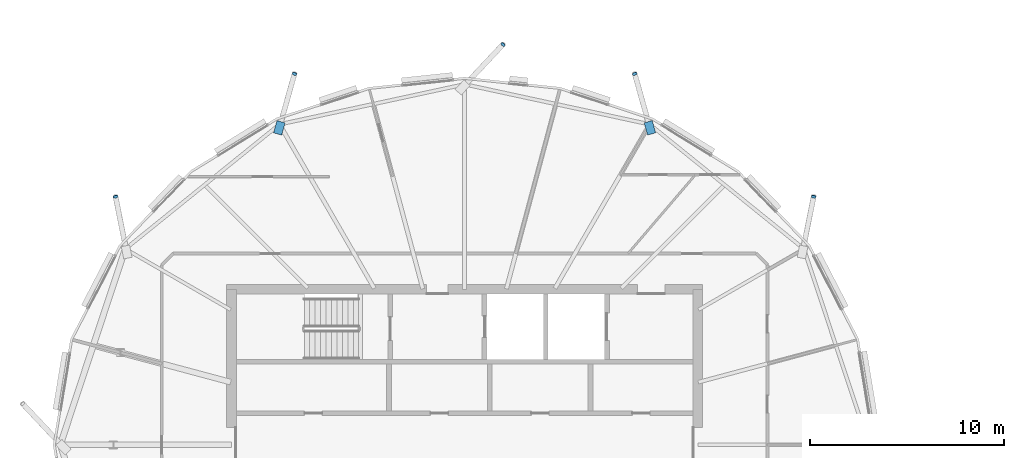
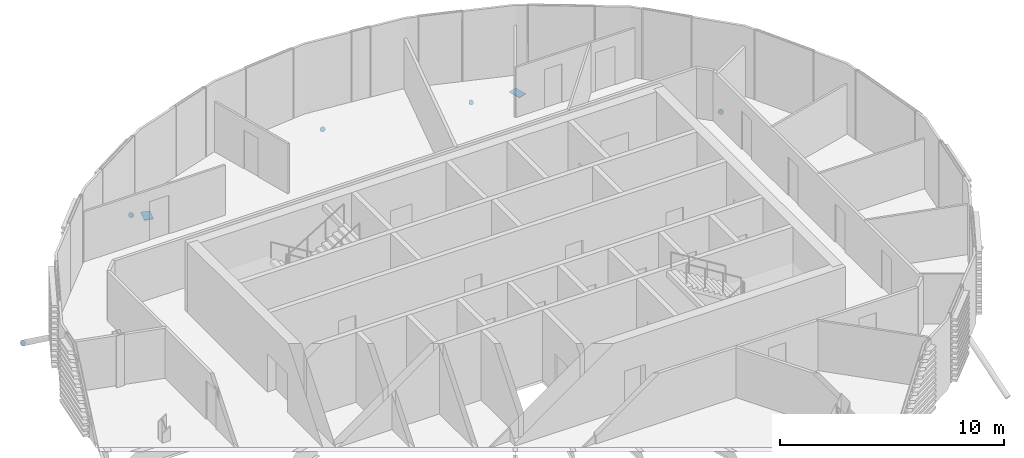
# One storey, part 29 of 41: 7 discrete accessories.
"""IFC4 building model written with IfcOpenShell, lengths in metres."""

from ifc_helpers import new_model, si_unit, direction, frame, origin, origin_2d, place, context, subcontext, project, spatial, polyline, rectangle, circle, outline, extrude, material, material_profile, profile_set, type_object, element, save


model = new_model("IFC4")

# Units and contexts
model_context = context("Model", 3, precision=1e-05, world=origin(), true_north=direction((0.0, 1.0)))
body_context = subcontext(model_context, "Body", "Model", "MODEL_VIEW")
ifc_project = project(units=[si_unit("LENGTHUNIT", "METRE"), si_unit("AREAUNIT", "SQUARE_METRE"), si_unit("VOLUMEUNIT", "CUBIC_METRE"), si_unit("PLANEANGLEUNIT", "RADIAN"), si_unit("MASSUNIT", "GRAM", prefix="KILO")], contexts=[model_context])

# Site, building, storey
site_placement = place(None, origin())
site = spatial("IfcSite", under=ifc_project, at=site_placement, CompositionType="ELEMENT")
building_placement = place(site_placement, origin())
building = spatial("IfcBuilding", under=site, at=building_placement, Name="Rimbun Link Towers", CompositionType="ELEMENT")
storey_placement = place(building_placement, frame((0.0, 0.0, 214.300048828125)))
storey = spatial("IfcBuildingStorey", under=building, at=storey_placement, Name="L52", CompositionType="ELEMENT", Elevation=214.300048828125)

# Discrete accessories
ifc_material_1 = material(Name="Steel S355J2H", Category="steel")
ifc_material_profile_1 = material_profile(ifc_material_1, circle(Radius=0.1240234375, at=origin_2d()), Name="PL D248")
ifc_profile_set_1 = profile_set([ifc_material_profile_1], Name="Steel S355J2H")
discrete_accessory_type_1 = type_object("IfcDiscreteAccessoryType", Name="Link foot sealing plate D248X20", PredefinedType="BRACKET", material=ifc_profile_set_1)
for number, where, z_axis, x_axis, name in (
    (1, (-13.7900390625, 12.7626953125, -2.512939453125), (0.1584188281, 0.804280204199, -0.572744993899), (-0.981148273046, 0.193256478024, 0.0), "Link foot sealing plate T1 L52 02"),
    (2, (-22.992919921875, 19.086181640625, -2.607421875), (-0.231397800667, 0.803802886529, -0.548047422633), (-0.960972583442, -0.276643622506, 0.0), "Link foot sealing plate T1 L52 04"),
    (3, (-29.78125, 20.599365234375, -2.6162109375), (0.576567774677, 0.613369973061, -0.539765576293), (-0.728627668902, 0.684910008768, 0.0), "Link foot sealing plate T1 L52 06"),
    (4, (-40.507080078125, 19.086181640625, -2.607421875), (0.231397800667, 0.803802886529, -0.548047422633), (-0.960972583442, 0.276643622506, 0.0), "Link foot sealing plate T1 L52 08"),
    (5, (-49.7099609375, 12.7626953125, -2.512939453125), (-0.1584188281, 0.804280204199, -0.572744993899), (-0.981148273046, -0.193256478024, 0.0), "Link foot sealing plate T1 L52 10"),
):
    element("IfcDiscreteAccessory", number, at=place(storey_placement, frame(where, z_axis=z_axis, x_axis=x_axis)), inside=storey, type_object=discrete_accessory_type_1, Name=name, PredefinedType="BRACKET", context=body_context, shape_type="SweptSolid", body=[
        extrude(circle(Radius=0.1240234375, at=origin_2d()), origin(), (0.0, 0.0, 1.0), 0.02001953125),
    ])
ifc_material_2 = material(Name="Steel S355J2H", Category="steel")
ifc_material_profile_2 = material_profile(ifc_material_2, rectangle(XDim=0.43310546875, YDim=0.43310546875, at=origin_2d()), Name="PL 433x433")
ifc_profile_set_2 = profile_set([ifc_material_profile_2], Name="Steel S355J2H")
discrete_accessory_type_2 = type_object("IfcDiscreteAccessoryType", Name="Link head end plate 433X20", PredefinedType="BRACKET", material=ifc_profile_set_2)
discrete_accessory_1_placement = place(storey_placement, frame((0.0, 0.0, -0.693115234375)))
element("IfcDiscreteAccessory", 6, at=discrete_accessory_1_placement, inside=storey, type_object=discrete_accessory_type_2, Name="Link head end plate T1 L52 04", PredefinedType="BRACKET", context=body_context, shape_type="SweptSolid", body=[
    extrude(outline(polyline([(-21.918212890625, 16.0576171875), (-22.0947265625, 16.6865234375), (-22.51171875, 16.569580078125), (-22.335205078125, 15.940673828125), (-21.918212890625, 16.0576171875)])), origin(), (0.0, 0.0, 1.0), 0.02001953125),
])
discrete_accessory_2_placement = place(storey_placement, frame((0.0, 0.0, -0.693115234375)))
element("IfcDiscreteAccessory", 7, at=discrete_accessory_2_placement, inside=storey, type_object=discrete_accessory_type_2, Name="Link head end plate T1 L52 08", PredefinedType="BRACKET", context=body_context, shape_type="SweptSolid", body=[
    extrude(outline(polyline([(-41.164794921875, 15.940673828125), (-40.98828125, 16.569580078125), (-41.4052734375, 16.6865234375), (-41.581787109375, 16.0576171875), (-41.164794921875, 15.940673828125)])), origin(), (0.0, 0.0, 1.0), 0.02001953125),
])

save(model, "model.ifc")
